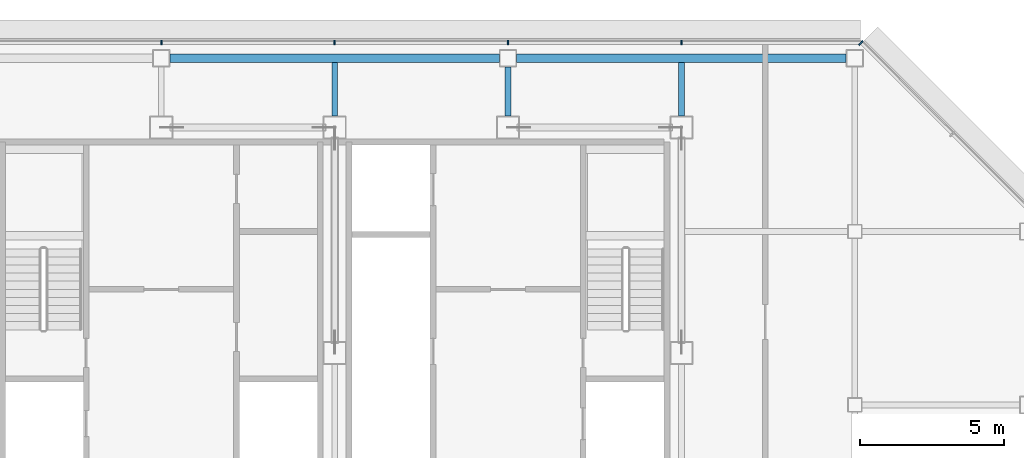
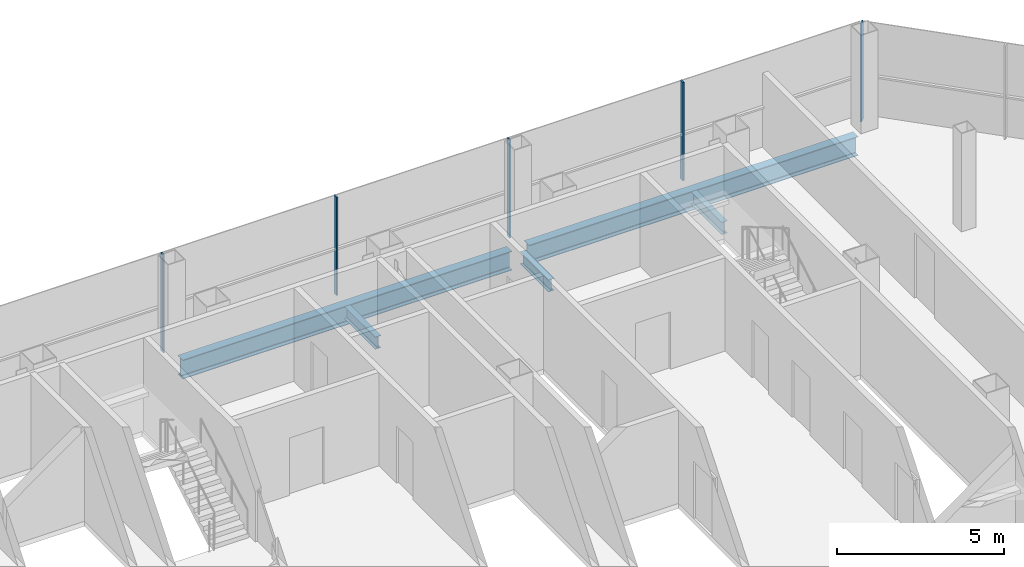
# One storey, part 16 of 28: 5 beams, 5 members, 2 elements without a shape of their own.
"""IFC4 building model written with IfcOpenShell, lengths in metres."""

from ifc_helpers import new_model, si_unit, direction, frame, origin, origin_2d, place, context, subcontext, project, spatial, rectangle, i_section, extrude, material, material_profile, profile_set, type_object, element, aggregate, save


model = new_model("IFC4")

# Units and contexts
model_context = context("Model", 3, precision=1e-05, world=origin(), true_north=direction((0.0, 1.0)))
body_context = subcontext(model_context, "Body", "Model", "MODEL_VIEW")
ifc_project = project(units=[si_unit("LENGTHUNIT", "METRE"), si_unit("AREAUNIT", "SQUARE_METRE"), si_unit("VOLUMEUNIT", "CUBIC_METRE"), si_unit("PLANEANGLEUNIT", "RADIAN"), si_unit("MASSUNIT", "GRAM", prefix="KILO")], contexts=[model_context])

# Site, building, storey
site_placement = place(None, origin())
site = spatial("IfcSite", under=ifc_project, at=site_placement, CompositionType="ELEMENT")
building_placement = place(site_placement, origin())
building = spatial("IfcBuilding", under=site, at=building_placement, Name="Sorahane Residences", CompositionType="ELEMENT")
storey_placement = place(building_placement, frame((0.0, 0.0, 270.199951171875)))
storey = spatial("IfcBuildingStorey", under=building, at=storey_placement, Name="L64", CompositionType="ELEMENT", Elevation=270.199951171875)

# Curtain wall, members
ifc_material_1 = material(Name="Dark low-e glass and black anodised aluminium", Category="aluminium")
curtain_wall_type_1 = type_object("IfcCurtainWallType", Name="Curtain wall CW-1 Typical unitised wall", PredefinedType="NOTDEFINED", material=ifc_material_1)
curtain_wall_1_placement = place(storey_placement, origin())
curtain_wall_1 = element("IfcCurtainWall", 1, at=curtain_wall_1_placement, inside=storey, type_object=curtain_wall_type_1, Name="CW-1 curtain wall L64 N1", PredefinedType="NOTDEFINED")
ifc_material_2 = material(Name="Black anodised aluminium", Category="aluminium")
ifc_material_profile_1 = material_profile(ifc_material_2, rectangle(XDim=0.159912109375, YDim=0.050048828125, at=origin_2d()), Name="Curtain wall mullion CW-1 black anodised aluminium 50x160")
ifc_profile_set_1 = profile_set([ifc_material_profile_1], Name="Black anodised aluminium")
member_type_1 = type_object("IfcMemberType", Name="Curtain wall mullion CW-1 black anodised aluminium 50x160", PredefinedType="MULLION", material=ifc_profile_set_1)
member_1_placement = place(storey_placement, frame((42.0, 48.5400390625, -0.179931640625), z_axis=(0.0, 0.0, 1.0), x_axis=(0.0, 1.0, 0.0)))
member_1 = element("IfcMember", 2, at=member_1_placement, type_object=member_type_1, Name="CW-1 mullion L64 N1.2", PredefinedType="MULLION", context=body_context, shape_type="SweptSolid", body=[
    extrude(rectangle(XDim=0.159912109375, YDim=0.050048828125, at=origin_2d()), origin(), (0.0, 0.0, 1.0), 3.60009765625),
])
member_2_placement = place(storey_placement, frame((36.0, 48.5400390625, -0.179931640625), z_axis=(0.0, 0.0, 1.0), x_axis=(0.0, 1.0, 0.0)))
member_2 = element("IfcMember", 3, at=member_2_placement, type_object=member_type_1, Name="CW-1 mullion L64 N1.3", PredefinedType="MULLION", context=body_context, shape_type="SweptSolid", body=[
    extrude(rectangle(XDim=0.159912109375, YDim=0.050048828125, at=origin_2d()), origin(), (0.0, 0.0, 1.0), 3.60009765625),
])
member_3_placement = place(storey_placement, frame((30.0, 48.5400390625, -0.179931640625), z_axis=(0.0, 0.0, 1.0), x_axis=(0.0, 1.0, 0.0)))
member_3 = element("IfcMember", 4, at=member_3_placement, type_object=member_type_1, Name="CW-1 mullion L64 N1.4", PredefinedType="MULLION", context=body_context, shape_type="SweptSolid", body=[
    extrude(rectangle(XDim=0.159912109375, YDim=0.050048828125, at=origin_2d()), origin(), (0.0, 0.0, 1.0), 3.60009765625),
])
member_4_placement = place(storey_placement, frame((24.0, 48.5400390625, -0.179931640625), z_axis=(0.0, 0.0, 1.0), x_axis=(0.0, 1.0, 0.0)))
member_4 = element("IfcMember", 5, at=member_4_placement, type_object=member_type_1, Name="CW-1 mullion L64 N1.5", PredefinedType="MULLION", context=body_context, shape_type="SweptSolid", body=[
    extrude(rectangle(XDim=0.159912109375, YDim=0.050048828125, at=origin_2d()), origin(), (0.0, 0.0, 1.0), 3.60009765625),
])
aggregate(curtain_wall_1, [member_1, member_2, member_3, member_4])

# Curtain wall, member
ifc_material_3 = material(Name="Dark low-e glass and black anodised aluminium", Category="aluminium")
curtain_wall_type_2 = type_object("IfcCurtainWallType", Name="Curtain wall CW-2 Chamfer unitised wall", PredefinedType="NOTDEFINED", material=ifc_material_3)
curtain_wall_2_placement = place(storey_placement, origin())
curtain_wall_2 = element("IfcCurtainWall", 6, at=curtain_wall_2_placement, inside=storey, type_object=curtain_wall_type_2, Name="CW-2 curtain wall L64 NE1", PredefinedType="NOTDEFINED")
ifc_material_4 = material(Name="Black anodised aluminium", Category="aluminium")
ifc_material_profile_2 = material_profile(ifc_material_4, rectangle(XDim=0.199951171875, YDim=0.050048828125, at=origin_2d()), Name="Curtain wall mullion CW-2 black anodised aluminium 50x200")
ifc_profile_set_2 = profile_set([ifc_material_profile_2], Name="Black anodised aluminium")
member_type_2 = type_object("IfcMemberType", Name="Curtain wall mullion CW-2 black anodised aluminium 50x200", PredefinedType="MULLION", material=ifc_profile_set_2)
member_5_placement = place(storey_placement, frame((48.209716796875, 48.525634765625, -0.179931640625), z_axis=(0.0, 0.0, 1.0), x_axis=(0.707106781187, 0.707106781187, 0.0)))
member_5 = element("IfcMember", 7, at=member_5_placement, type_object=member_type_2, Name="CW-2 mullion L64 NE1.3", PredefinedType="MULLION", context=body_context, shape_type="SweptSolid", body=[
    extrude(rectangle(XDim=0.199951171875, YDim=0.050048828125, at=origin_2d()), origin(), (0.0, 0.0, 1.0), 3.60009765625),
])
aggregate(curtain_wall_2, [member_5])

# Beams
ifc_material_5 = material(Name="Steel Q355B", Category="steel")
ifc_material_profile_3 = material_profile(ifc_material_5, i_section(OverallWidth=0.199951171875, OverallDepth=0.449951171875, WebThickness=0.009033203125, FlangeThickness=0.013916015625, FilletRadius=0.02001953125, at=origin_2d()), Name="HN 450x200x9x14")
ifc_profile_set_3 = profile_set([ifc_material_profile_3], Name="Steel Q355B")
beam_type_1 = type_object("IfcBeamType", Name="Steel floor beam HN 450x200x9x14 Q355B", PredefinedType="BEAM", material=ifc_profile_set_3)
beam_1_placement = place(storey_placement, frame((30.0, 46.0, -0.405029296875), z_axis=(0.0, 1.0, 0.0), x_axis=(-1.0, 0.0, 0.0)))
element("IfcBeam", 8, at=beam_1_placement, inside=storey, type_object=beam_type_1, Name="Beam L64 049", PredefinedType="BEAM", context=body_context, shape_type="SweptSolid", body=[
    extrude(i_section(OverallWidth=0.199951171875, OverallDepth=0.449951171875, WebThickness=0.009033203125, FlangeThickness=0.013916015625, FilletRadius=0.02001953125, at=origin_2d()), origin(), (0.0, 0.0, 1.0), 1.85009765625),
])
beam_2_placement = place(storey_placement, frame((36.0, 46.0, -0.405029296875), z_axis=(0.0, 1.0, 0.0), x_axis=(-1.0, 0.0, 0.0)))
element("IfcBeam", 9, at=beam_2_placement, inside=storey, type_object=beam_type_1, Name="Beam L64 051", PredefinedType="BEAM", context=body_context, shape_type="SweptSolid", body=[
    extrude(i_section(OverallWidth=0.199951171875, OverallDepth=0.449951171875, WebThickness=0.009033203125, FlangeThickness=0.013916015625, FilletRadius=0.02001953125, at=origin_2d()), origin(), (0.0, 0.0, 1.0), 1.699951171875),
])
beam_3_placement = place(storey_placement, frame((42.0, 46.0, -0.405029296875), z_axis=(0.0, 1.0, 0.0), x_axis=(-1.0, 0.0, 0.0)))
element("IfcBeam", 10, at=beam_3_placement, inside=storey, type_object=beam_type_1, Name="Beam L64 057", PredefinedType="BEAM", context=body_context, shape_type="SweptSolid", body=[
    extrude(i_section(OverallWidth=0.199951171875, OverallDepth=0.449951171875, WebThickness=0.009033203125, FlangeThickness=0.013916015625, FilletRadius=0.02001953125, at=origin_2d()), origin(), (0.0, 0.0, 1.0), 1.85009765625),
])
ifc_material_6 = material(Name="Steel Q355B", Category="steel")
ifc_material_profile_4 = material_profile(ifc_material_6, i_section(OverallWidth=0.300048828125, OverallDepth=0.699951171875, WebThickness=0.012939453125, FlangeThickness=0.02392578125, FilletRadius=0.028076171875, at=origin_2d()), Name="HN 700x300x13x24")
ifc_profile_set_4 = profile_set([ifc_material_profile_4], Name="Steel Q355B")
beam_type_2 = type_object("IfcBeamType", Name="Steel floor beam HN 700x300x13x24 Q355B", PredefinedType="BEAM", material=ifc_profile_set_4)
for number, where, z_axis, x_axis, name in (
    (11, (24.300048828125, 48.0, -0.530029296875), (1.0, 0.0, 0.0), (0.0, 1.0, 0.0), "Beam L64 018"),
    (12, (36.300048828125, 48.0, -0.530029296875), (1.0, 0.0, 0.0), (0.0, 1.0, 0.0), "Beam L64 019"),
):
    element("IfcBeam", number, at=place(storey_placement, frame(where, z_axis=z_axis, x_axis=x_axis)), inside=storey, type_object=beam_type_2, Name=name, PredefinedType="BEAM", context=body_context, shape_type="SweptSolid", body=[
        extrude(i_section(OverallWidth=0.300048828125, OverallDepth=0.699951171875, WebThickness=0.012939453125, FlangeThickness=0.02392578125, FilletRadius=0.028076171875, at=origin_2d()), origin(), (0.0, 0.0, 1.0), 11.39990234375),
    ])

save(model, "model.ifc")
